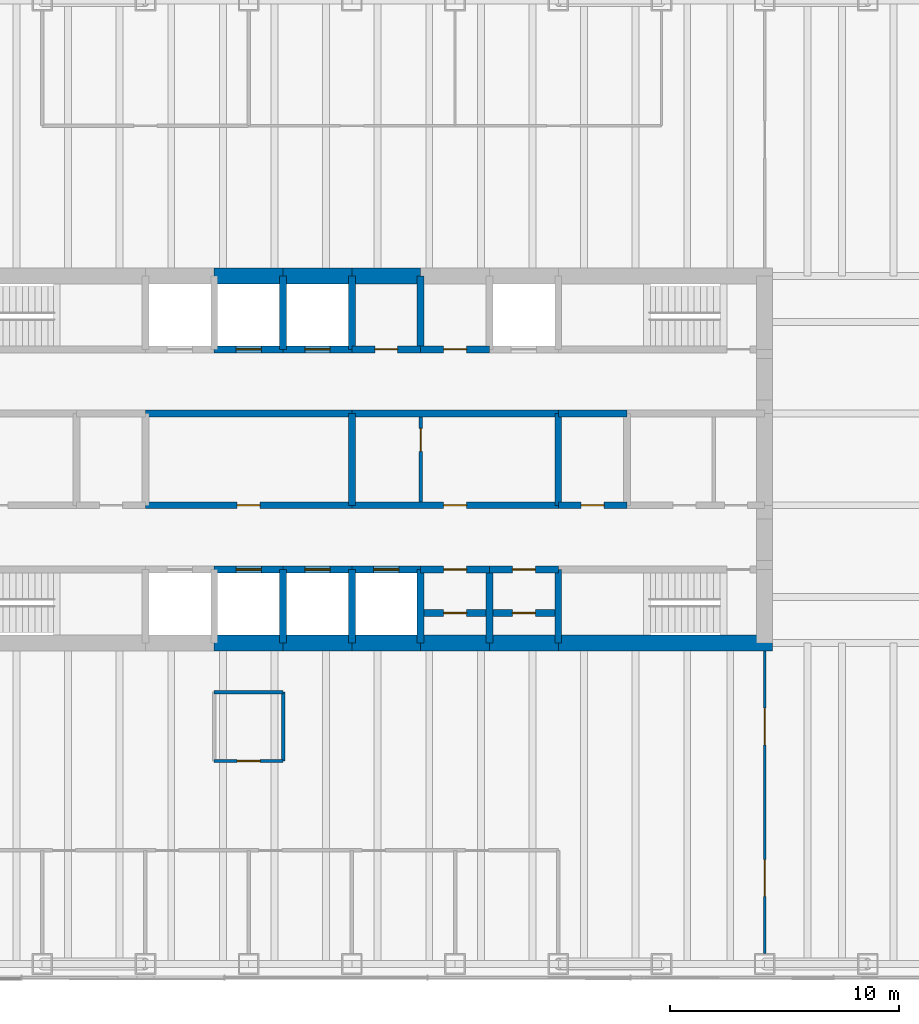
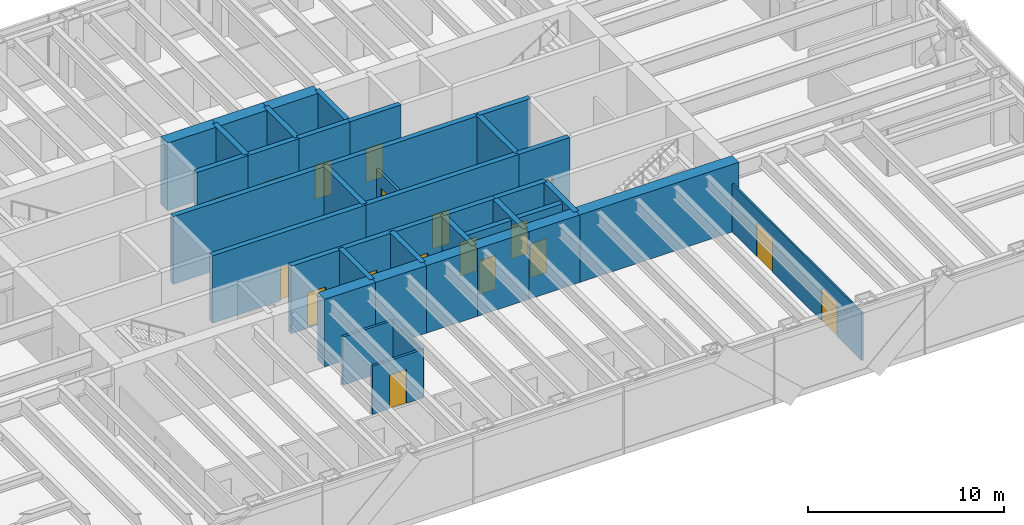
# One storey, part 12 of 15: 41 walls, 18 doors, 18 openings.
"""IFC4 building model written with IfcOpenShell, lengths in metres."""

from ifc_helpers import new_model, si_unit, direction, frame, frame_2d, origin, place, context, subcontext, project, spatial, rectangle, extrude, material, layer, layer_set, type_object, element, fill, save


model = new_model("IFC4")

# Units and contexts
model_context = context("Model", 3, precision=1e-05, world=origin(), true_north=direction((0.0, 1.0)))
body_context = subcontext(model_context, "Body", "Model", "MODEL_VIEW")
ifc_project = project(units=[si_unit("LENGTHUNIT", "METRE"), si_unit("AREAUNIT", "SQUARE_METRE"), si_unit("VOLUMEUNIT", "CUBIC_METRE"), si_unit("PLANEANGLEUNIT", "RADIAN"), si_unit("MASSUNIT", "GRAM", prefix="KILO")], contexts=[model_context])

# Site, building, storey
site_placement = place(None, origin())
site = spatial("IfcSite", under=ifc_project, at=site_placement, CompositionType="ELEMENT")
building_placement = place(site_placement, origin())
building = spatial("IfcBuilding", under=site, at=building_placement, Name="Rheinbord Bourse Tower", CompositionType="ELEMENT")
storey_placement = place(building_placement, frame((0.0, 0.0, 292.10009765625)))
storey = spatial("IfcBuildingStorey", under=building, at=storey_placement, Name="L66", CompositionType="ELEMENT", Elevation=292.10009765625)

# Wall, opening, door
ifc_material_1 = material(Name="Concrete C50/60", Category="concrete")
ifc_layer_1 = layer(ifc_material_1, 0.300048828125)
ifc_layer_set_1 = layer_set([ifc_layer_1], Name="CORE INNER WALL 300")
wall_type_1 = type_object("IfcWallType", Name="CORE INNER WALL 300", PredefinedType="SOLIDWALL", material=ifc_layer_set_1)
wall_1_placement = place(storey_placement, frame((30.0, 19.199951171875, 0.0), z_axis=(0.0, 0.0, 1.0), x_axis=(1.0, 0.0, 0.0)))
wall_1 = element("IfcWall", 1, at=wall_1_placement, inside=storey, type_object=wall_type_1, Name="Core wall A3 L66", PredefinedType="SOLIDWALL", context=body_context, shape_type="SweptSolid", body=[
    extrude(rectangle(XDim=3.0, YDim=0.300048828125, at=frame_2d((1.5, 0.0))), origin(), (0.0, 0.0, 1.0), 4.199951171875),
])
opening_1_placement = place(wall_1_placement, frame((0.949951171875, 0.0, 0.0)))
opening_1 = element("IfcOpeningElement", 2, at=opening_1_placement, cuts=wall_1, Name="Opening PD1", PredefinedType="OPENING", context=body_context, shape_type="SweptSolid", body=[
    extrude(rectangle(XDim=1.10009765625, YDim=2.199951171875, at=frame_2d((0.550048828125, 1.10009765625))), frame((0.0, 0.159912109375, 0.0), z_axis=(0.0, -1.0, 0.0), x_axis=(1.0, 0.0, 0.0)), (0.0, 0.0, 1.0), 0.320068359375),
])
ifc_material_2 = material(Name="Steel landing door", Category="steel")
door_type_1 = type_object("IfcDoorType", Name="LIFT LANDING DOOR 1100", OperationType="DOUBLE_DOOR_SLIDING", PredefinedType="USERDEFINED", material=ifc_material_2)
door_1_placement = place(opening_1_placement, origin())
door_1 = element("IfcDoor", 3, at=door_1_placement, inside=storey, type_object=door_type_1, Name="Lift landing door PD1 L66", ObjectType="LIFT LANDING DOOR", OperationType="DOUBLE_DOOR_SLIDING", OverallHeight=2.199951171875, OverallWidth=1.10009765625, PredefinedType="USERDEFINED", context=body_context, shape_type="SweptSolid", body=[
    extrude(rectangle(XDim=1.10009765625, YDim=2.199951171875, at=frame_2d((0.550048828125, 1.10009765625))), frame((0.0, 0.02490234375, 0.0), z_axis=(0.0, -1.0, 0.0), x_axis=(1.0, 0.0, 0.0)), (0.0, 0.0, 1.0), 0.050048828125),
])
fill(opening_1, door_1)

wall_2_placement = place(storey_placement, frame((33.0, 19.199951171875, 0.0), z_axis=(0.0, 0.0, 1.0), x_axis=(1.0, 0.0, 0.0)))
wall_2 = element("IfcWall", 4, at=wall_2_placement, inside=storey, type_object=wall_type_1, Name="Core wall A4 L66", PredefinedType="SOLIDWALL", context=body_context, shape_type="SweptSolid", body=[
    extrude(rectangle(XDim=3.0, YDim=0.300048828125, at=frame_2d((1.5, 0.0))), origin(), (0.0, 0.0, 1.0), 4.199951171875),
])
opening_2_placement = place(wall_2_placement, frame((0.949951171875, 0.0, 0.0)))
opening_2 = element("IfcOpeningElement", 5, at=opening_2_placement, cuts=wall_2, Name="Opening PD2", PredefinedType="OPENING", context=body_context, shape_type="SweptSolid", body=[
    extrude(rectangle(XDim=1.10009765625, YDim=2.199951171875, at=frame_2d((0.550048828125, 1.10009765625))), frame((0.0, 0.159912109375, 0.0), z_axis=(0.0, -1.0, 0.0), x_axis=(1.0, 0.0, 0.0)), (0.0, 0.0, 1.0), 0.320068359375),
])
door_2_placement = place(opening_2_placement, origin())
door_2 = element("IfcDoor", 6, at=door_2_placement, inside=storey, type_object=door_type_1, Name="Lift landing door PD2 L66", ObjectType="LIFT LANDING DOOR", OperationType="DOUBLE_DOOR_SLIDING", OverallHeight=2.199951171875, OverallWidth=1.10009765625, PredefinedType="USERDEFINED", context=body_context, shape_type="SweptSolid", body=[
    extrude(rectangle(XDim=1.10009765625, YDim=2.199951171875, at=frame_2d((0.550048828125, 1.10009765625))), frame((0.0, 0.02490234375, 0.0), z_axis=(0.0, -1.0, 0.0), x_axis=(1.0, 0.0, 0.0)), (0.0, 0.0, 1.0), 0.050048828125),
])
fill(opening_2, door_2)

wall_3_placement = place(storey_placement, frame((36.0, 19.199951171875, 0.0), z_axis=(0.0, 0.0, 1.0), x_axis=(1.0, 0.0, 0.0)))
wall_3 = element("IfcWall", 7, at=wall_3_placement, inside=storey, type_object=wall_type_1, Name="Core wall A5 L66", PredefinedType="SOLIDWALL", context=body_context, shape_type="SweptSolid", body=[
    extrude(rectangle(XDim=3.0, YDim=0.300048828125, at=frame_2d((1.5, 0.0))), origin(), (0.0, 0.0, 1.0), 4.199951171875),
])
opening_3_placement = place(wall_3_placement, frame((0.949951171875, 0.0, 0.0)))
opening_3 = element("IfcOpeningElement", 8, at=opening_3_placement, cuts=wall_3, Name="Opening PD3", PredefinedType="OPENING", context=body_context, shape_type="SweptSolid", body=[
    extrude(rectangle(XDim=1.10009765625, YDim=2.199951171875, at=frame_2d((0.550048828125, 1.10009765625))), frame((0.0, 0.159912109375, 0.0), z_axis=(0.0, -1.0, 0.0), x_axis=(1.0, 0.0, 0.0)), (0.0, 0.0, 1.0), 0.320068359375),
])
door_3_placement = place(opening_3_placement, origin())
door_3 = element("IfcDoor", 9, at=door_3_placement, inside=storey, type_object=door_type_1, Name="Lift landing door PD3 L66", ObjectType="LIFT LANDING DOOR", OperationType="DOUBLE_DOOR_SLIDING", OverallHeight=2.199951171875, OverallWidth=1.10009765625, PredefinedType="USERDEFINED", context=body_context, shape_type="SweptSolid", body=[
    extrude(rectangle(XDim=1.10009765625, YDim=2.199951171875, at=frame_2d((0.550048828125, 1.10009765625))), frame((0.0, 0.02490234375, 0.0), z_axis=(0.0, -1.0, 0.0), x_axis=(1.0, 0.0, 0.0)), (0.0, 0.0, 1.0), 0.050048828125),
])
fill(opening_3, door_3)

wall_4_placement = place(storey_placement, frame((39.0, 19.199951171875, 0.0), z_axis=(0.0, 0.0, 1.0), x_axis=(1.0, 0.0, 0.0)))
wall_4 = element("IfcWall", 10, at=wall_4_placement, inside=storey, type_object=wall_type_1, Name="Core wall A6 L66", PredefinedType="SOLIDWALL", context=body_context, shape_type="SweptSolid", body=[
    extrude(rectangle(XDim=3.0, YDim=0.300048828125, at=frame_2d((1.5, 0.0))), origin(), (0.0, 0.0, 1.0), 4.199951171875),
])
opening_4_placement = place(wall_4_placement, frame((1.0, 0.0, 0.0)))
opening_4 = element("IfcOpeningElement", 11, at=opening_4_placement, cuts=wall_4, Name="Opening 66R8", PredefinedType="OPENING", context=body_context, shape_type="SweptSolid", body=[
    extrude(rectangle(XDim=1.0, YDim=2.10009765625, at=frame_2d((0.5, 1.050048828125))), frame((0.0, 0.159912109375, 0.0), z_axis=(0.0, -1.0, 0.0), x_axis=(1.0, 0.0, 0.0)), (0.0, 0.0, 1.0), 0.320068359375),
])
ifc_material_3 = material(Name="Steel door", Category="steel")
door_type_2 = type_object("IfcDoorType", Name="DOOR 1000 EI30", OperationType="SINGLE_SWING_LEFT", PredefinedType="DOOR", material=ifc_material_3)
door_4_placement = place(opening_4_placement, origin())
door_4 = element("IfcDoor", 12, at=door_4_placement, inside=storey, type_object=door_type_2, Name="Archive store door L66", OperationType="SINGLE_SWING_LEFT", OverallHeight=2.10009765625, OverallWidth=1.0, PredefinedType="DOOR", context=body_context, shape_type="SweptSolid", body=[
    extrude(rectangle(XDim=1.0, YDim=2.10009765625, at=frame_2d((0.5, 1.050048828125))), frame((0.0, 0.02490234375, 0.0), z_axis=(0.0, -1.0, 0.0), x_axis=(1.0, 0.0, 0.0)), (0.0, 0.0, 1.0), 0.050048828125),
])
fill(opening_4, door_4)

wall_5_placement = place(storey_placement, frame((42.0, 19.199951171875, 0.0), z_axis=(0.0, 0.0, 1.0), x_axis=(1.0, 0.0, 0.0)))
wall_5 = element("IfcWall", 13, at=wall_5_placement, inside=storey, type_object=wall_type_1, Name="Core wall A7 L66", PredefinedType="SOLIDWALL", context=body_context, shape_type="SweptSolid", body=[
    extrude(rectangle(XDim=3.0, YDim=0.300048828125, at=frame_2d((1.5, 0.0))), origin(), (0.0, 0.0, 1.0), 4.199951171875),
])
opening_5_placement = place(wall_5_placement, frame((1.0, 0.0, 0.0)))
opening_5 = element("IfcOpeningElement", 14, at=opening_5_placement, cuts=wall_5, Name="Opening 66R9", PredefinedType="OPENING", context=body_context, shape_type="SweptSolid", body=[
    extrude(rectangle(XDim=1.0, YDim=2.10009765625, at=frame_2d((0.5, 1.050048828125))), frame((0.0, 0.159912109375, 0.0), z_axis=(0.0, -1.0, 0.0), x_axis=(1.0, 0.0, 0.0)), (0.0, 0.0, 1.0), 0.320068359375),
])
door_5_placement = place(opening_5_placement, origin())
door_5 = element("IfcDoor", 15, at=door_5_placement, inside=storey, type_object=door_type_2, Name="Mail room door L66", OperationType="SINGLE_SWING_LEFT", OverallHeight=2.10009765625, OverallWidth=1.0, PredefinedType="DOOR", context=body_context, shape_type="SweptSolid", body=[
    extrude(rectangle(XDim=1.0, YDim=2.10009765625, at=frame_2d((0.5, 1.050048828125))), frame((0.0, 0.02490234375, 0.0), z_axis=(0.0, -1.0, 0.0), x_axis=(1.0, 0.0, 0.0)), (0.0, 0.0, 1.0), 0.050048828125),
])
fill(opening_5, door_5)

wall_6_placement = place(storey_placement, frame((30.0, 28.800048828125, 0.0), z_axis=(0.0, 0.0, 1.0), x_axis=(1.0, 0.0, 0.0)))
wall_6 = element("IfcWall", 16, at=wall_6_placement, inside=storey, type_object=wall_type_1, Name="Core wall B3 L66", PredefinedType="SOLIDWALL", context=body_context, shape_type="SweptSolid", body=[
    extrude(rectangle(XDim=3.0, YDim=0.300048828125, at=frame_2d((1.5, 0.0))), origin(), (0.0, 0.0, 1.0), 4.199951171875),
])
opening_6_placement = place(wall_6_placement, frame((0.949951171875, 0.0, 0.0)))
opening_6 = element("IfcOpeningElement", 17, at=opening_6_placement, cuts=wall_6, Name="Opening PD4", PredefinedType="OPENING", context=body_context, shape_type="SweptSolid", body=[
    extrude(rectangle(XDim=1.10009765625, YDim=2.199951171875, at=frame_2d((0.550048828125, 1.10009765625))), frame((0.0, 0.159912109375, 0.0), z_axis=(0.0, -1.0, 0.0), x_axis=(1.0, 0.0, 0.0)), (0.0, 0.0, 1.0), 0.320068359375),
])
door_6_placement = place(opening_6_placement, origin())
door_6 = element("IfcDoor", 18, at=door_6_placement, inside=storey, type_object=door_type_1, Name="Lift landing door PD4 L66", ObjectType="LIFT LANDING DOOR", OperationType="DOUBLE_DOOR_SLIDING", OverallHeight=2.199951171875, OverallWidth=1.10009765625, PredefinedType="USERDEFINED", context=body_context, shape_type="SweptSolid", body=[
    extrude(rectangle(XDim=1.10009765625, YDim=2.199951171875, at=frame_2d((0.550048828125, 1.10009765625))), frame((0.0, 0.02490234375, 0.0), z_axis=(0.0, -1.0, 0.0), x_axis=(1.0, 0.0, 0.0)), (0.0, 0.0, 1.0), 0.050048828125),
])
fill(opening_6, door_6)

wall_7_placement = place(storey_placement, frame((33.0, 28.800048828125, 0.0), z_axis=(0.0, 0.0, 1.0), x_axis=(1.0, 0.0, 0.0)))
wall_7 = element("IfcWall", 19, at=wall_7_placement, inside=storey, type_object=wall_type_1, Name="Core wall B4 L66", PredefinedType="SOLIDWALL", context=body_context, shape_type="SweptSolid", body=[
    extrude(rectangle(XDim=3.0, YDim=0.300048828125, at=frame_2d((1.5, 0.0))), origin(), (0.0, 0.0, 1.0), 4.199951171875),
])
opening_7_placement = place(wall_7_placement, frame((0.949951171875, 0.0, 0.0)))
opening_7 = element("IfcOpeningElement", 20, at=opening_7_placement, cuts=wall_7, Name="Opening PD5", PredefinedType="OPENING", context=body_context, shape_type="SweptSolid", body=[
    extrude(rectangle(XDim=1.10009765625, YDim=2.199951171875, at=frame_2d((0.550048828125, 1.10009765625))), frame((0.0, 0.159912109375, 0.0), z_axis=(0.0, -1.0, 0.0), x_axis=(1.0, 0.0, 0.0)), (0.0, 0.0, 1.0), 0.320068359375),
])
door_7_placement = place(opening_7_placement, origin())
door_7 = element("IfcDoor", 21, at=door_7_placement, inside=storey, type_object=door_type_1, Name="Lift landing door PD5 L66", ObjectType="LIFT LANDING DOOR", OperationType="DOUBLE_DOOR_SLIDING", OverallHeight=2.199951171875, OverallWidth=1.10009765625, PredefinedType="USERDEFINED", context=body_context, shape_type="SweptSolid", body=[
    extrude(rectangle(XDim=1.10009765625, YDim=2.199951171875, at=frame_2d((0.550048828125, 1.10009765625))), frame((0.0, 0.02490234375, 0.0), z_axis=(0.0, -1.0, 0.0), x_axis=(1.0, 0.0, 0.0)), (0.0, 0.0, 1.0), 0.050048828125),
])
fill(opening_7, door_7)

wall_8_placement = place(storey_placement, frame((36.0, 28.800048828125, 0.0), z_axis=(0.0, 0.0, 1.0), x_axis=(1.0, 0.0, 0.0)))
wall_8 = element("IfcWall", 22, at=wall_8_placement, inside=storey, type_object=wall_type_1, Name="Core wall B5 L66", PredefinedType="SOLIDWALL", context=body_context, shape_type="SweptSolid", body=[
    extrude(rectangle(XDim=3.0, YDim=0.300048828125, at=frame_2d((1.5, 0.0))), origin(), (0.0, 0.0, 1.0), 4.199951171875),
])
opening_8_placement = place(wall_8_placement, frame((1.0, 0.0, 0.0)))
opening_8 = element("IfcOpeningElement", 23, at=opening_8_placement, cuts=wall_8, Name="Opening 66R10", PredefinedType="OPENING", context=body_context, shape_type="SweptSolid", body=[
    extrude(rectangle(XDim=1.0, YDim=2.10009765625, at=frame_2d((0.5, 1.050048828125))), frame((0.0, 0.159912109375, 0.0), z_axis=(0.0, -1.0, 0.0), x_axis=(1.0, 0.0, 0.0)), (0.0, 0.0, 1.0), 0.320068359375),
])
door_8_placement = place(opening_8_placement, origin())
door_8 = element("IfcDoor", 24, at=door_8_placement, inside=storey, type_object=door_type_2, Name="Stationery store door L66", OperationType="SINGLE_SWING_LEFT", OverallHeight=2.10009765625, OverallWidth=1.0, PredefinedType="DOOR", context=body_context, shape_type="SweptSolid", body=[
    extrude(rectangle(XDim=1.0, YDim=2.10009765625, at=frame_2d((0.5, 1.050048828125))), frame((0.0, 0.02490234375, 0.0), z_axis=(0.0, -1.0, 0.0), x_axis=(1.0, 0.0, 0.0)), (0.0, 0.0, 1.0), 0.050048828125),
])
fill(opening_8, door_8)

wall_9_placement = place(storey_placement, frame((39.0, 28.800048828125, 0.0), z_axis=(0.0, 0.0, 1.0), x_axis=(1.0, 0.0, 0.0)))
wall_9 = element("IfcWall", 25, at=wall_9_placement, inside=storey, type_object=wall_type_1, Name="Core wall B6 L66", PredefinedType="SOLIDWALL", context=body_context, shape_type="SweptSolid", body=[
    extrude(rectangle(XDim=3.0, YDim=0.300048828125, at=frame_2d((1.5, 0.0))), origin(), (0.0, 0.0, 1.0), 4.199951171875),
])
opening_9_placement = place(wall_9_placement, frame((1.0, 0.0, 0.0)))
opening_9 = element("IfcOpeningElement", 26, at=opening_9_placement, cuts=wall_9, Name="Opening 66R11", PredefinedType="OPENING", context=body_context, shape_type="SweptSolid", body=[
    extrude(rectangle(XDim=1.0, YDim=2.10009765625, at=frame_2d((0.5, 1.050048828125))), frame((0.0, 0.159912109375, 0.0), z_axis=(0.0, -1.0, 0.0), x_axis=(1.0, 0.0, 0.0)), (0.0, 0.0, 1.0), 0.320068359375),
])
door_9_placement = place(opening_9_placement, origin())
door_9 = element("IfcDoor", 27, at=door_9_placement, inside=storey, type_object=door_type_2, Name="Supplies store door L66", OperationType="SINGLE_SWING_LEFT", OverallHeight=2.10009765625, OverallWidth=1.0, PredefinedType="DOOR", context=body_context, shape_type="SweptSolid", body=[
    extrude(rectangle(XDim=1.0, YDim=2.10009765625, at=frame_2d((0.5, 1.050048828125))), frame((0.0, 0.02490234375, 0.0), z_axis=(0.0, -1.0, 0.0), x_axis=(1.0, 0.0, 0.0)), (0.0, 0.0, 1.0), 0.050048828125),
])
fill(opening_9, door_9)

wall_10_placement = place(storey_placement, frame((27.0, 22.0, 0.0), z_axis=(0.0, 0.0, 1.0), x_axis=(1.0, 0.0, 0.0)))
wall_10 = element("IfcWall", 28, at=wall_10_placement, inside=storey, type_object=wall_type_1, Name="Core wall C3 L66", PredefinedType="SOLIDWALL", context=body_context, shape_type="SweptSolid", body=[
    extrude(rectangle(XDim=9.0, YDim=0.300048828125, at=frame_2d((4.5, 0.0))), origin(), (0.0, 0.0, 1.0), 4.199951171875),
])
opening_10_placement = place(wall_10_placement, frame((4.0, 0.0, 0.0)))
opening_10 = element("IfcOpeningElement", 29, at=opening_10_placement, cuts=wall_10, Name="Opening 66R3", PredefinedType="OPENING", context=body_context, shape_type="SweptSolid", body=[
    extrude(rectangle(XDim=1.0, YDim=2.10009765625, at=frame_2d((0.5, 1.050048828125))), frame((0.0, 0.159912109375, 0.0), z_axis=(0.0, -1.0, 0.0), x_axis=(1.0, 0.0, 0.0)), (0.0, 0.0, 1.0), 0.320068359375),
])
door_10_placement = place(opening_10_placement, origin())
door_10 = element("IfcDoor", 30, at=door_10_placement, inside=storey, type_object=door_type_2, Name="Riser door L66", OperationType="SINGLE_SWING_LEFT", OverallHeight=2.10009765625, OverallWidth=1.0, PredefinedType="DOOR", context=body_context, shape_type="SweptSolid", body=[
    extrude(rectangle(XDim=1.0, YDim=2.10009765625, at=frame_2d((0.5, 1.050048828125))), frame((0.0, 0.02490234375, 0.0), z_axis=(0.0, -1.0, 0.0), x_axis=(1.0, 0.0, 0.0)), (0.0, 0.0, 1.0), 0.050048828125),
])
fill(opening_10, door_10)

wall_11_placement = place(storey_placement, frame((36.0, 22.0, 0.0), z_axis=(0.0, 0.0, 1.0), x_axis=(1.0, 0.0, 0.0)))
wall_11 = element("IfcWall", 31, at=wall_11_placement, inside=storey, type_object=wall_type_1, Name="Core wall C4 L66", PredefinedType="SOLIDWALL", context=body_context, shape_type="SweptSolid", body=[
    extrude(rectangle(XDim=9.0, YDim=0.300048828125, at=frame_2d((4.5, 0.0))), origin(), (0.0, 0.0, 1.0), 4.199951171875),
])
opening_11_placement = place(wall_11_placement, frame((4.0, 0.0, 0.0)))
opening_11 = element("IfcOpeningElement", 32, at=opening_11_placement, cuts=wall_11, Name="Opening 66R4", PredefinedType="OPENING", context=body_context, shape_type="SweptSolid", body=[
    extrude(rectangle(XDim=1.0, YDim=2.10009765625, at=frame_2d((0.5, 1.050048828125))), frame((0.0, 0.159912109375, 0.0), z_axis=(0.0, -1.0, 0.0), x_axis=(1.0, 0.0, 0.0)), (0.0, 0.0, 1.0), 0.320068359375),
])
door_11_placement = place(opening_11_placement, origin())
door_11 = element("IfcDoor", 33, at=door_11_placement, inside=storey, type_object=door_type_2, Name="Pantry door L66", OperationType="SINGLE_SWING_LEFT", OverallHeight=2.10009765625, OverallWidth=1.0, PredefinedType="DOOR", context=body_context, shape_type="SweptSolid", body=[
    extrude(rectangle(XDim=1.0, YDim=2.10009765625, at=frame_2d((0.5, 1.050048828125))), frame((0.0, 0.02490234375, 0.0), z_axis=(0.0, -1.0, 0.0), x_axis=(1.0, 0.0, 0.0)), (0.0, 0.0, 1.0), 0.050048828125),
])
fill(opening_11, door_11)

wall_12_placement = place(storey_placement, frame((45.0, 22.0, 0.0), z_axis=(0.0, 0.0, 1.0), x_axis=(1.0, 0.0, 0.0)))
wall_12 = element("IfcWall", 34, at=wall_12_placement, inside=storey, type_object=wall_type_1, Name="Core wall C5 L66", PredefinedType="SOLIDWALL", context=body_context, shape_type="SweptSolid", body=[
    extrude(rectangle(XDim=3.0, YDim=0.300048828125, at=frame_2d((1.5, 0.0))), origin(), (0.0, 0.0, 1.0), 4.199951171875),
])
opening_12_placement = place(wall_12_placement, frame((1.0, 0.0, 0.0)))
opening_12 = element("IfcOpeningElement", 35, at=opening_12_placement, cuts=wall_12, Name="Opening 66R5", PredefinedType="OPENING", context=body_context, shape_type="SweptSolid", body=[
    extrude(rectangle(XDim=1.0, YDim=2.10009765625, at=frame_2d((0.5, 1.050048828125))), frame((0.0, 0.159912109375, 0.0), z_axis=(0.0, -1.0, 0.0), x_axis=(1.0, 0.0, 0.0)), (0.0, 0.0, 1.0), 0.320068359375),
])
ifc_material_4 = material(Name="Timber door", Category="wood")
door_type_3 = type_object("IfcDoorType", Name="DOOR 1000 WC", OperationType="SINGLE_SWING_LEFT", PredefinedType="DOOR", material=ifc_material_4)
door_12_placement = place(opening_12_placement, origin())
door_12 = element("IfcDoor", 36, at=door_12_placement, inside=storey, type_object=door_type_3, Name="Accessible WC door L66", OperationType="SINGLE_SWING_LEFT", OverallHeight=2.10009765625, OverallWidth=1.0, PredefinedType="DOOR", context=body_context, shape_type="SweptSolid", body=[
    extrude(rectangle(XDim=1.0, YDim=2.10009765625, at=frame_2d((0.5, 1.050048828125))), frame((0.0, 0.02490234375, 0.0), z_axis=(0.0, -1.0, 0.0), x_axis=(1.0, 0.0, 0.0)), (0.0, 0.0, 1.0), 0.050048828125),
])
fill(opening_12, door_12)

# Walls
for number, where, z_axis, x_axis, name in (
    (37, (27.0, 26.0, 0.0), (0.0, 0.0, 1.0), (1.0, 0.0, 0.0), "Core wall D3 L66"),
    (38, (36.0, 26.0, 0.0), (0.0, 0.0, 1.0), (1.0, 0.0, 0.0), "Core wall D4 L66"),
):
    element("IfcWall", number, at=place(storey_placement, frame(where, z_axis=z_axis, x_axis=x_axis)), inside=storey, type_object=wall_type_1, Name=name, PredefinedType="SOLIDWALL", context=body_context, shape_type="SweptSolid", body=[
        extrude(rectangle(XDim=9.0, YDim=0.300048828125, at=frame_2d((4.5, 0.0))), origin(), (0.0, 0.0, 1.0), 4.199951171875),
    ])
wall_13_placement = place(storey_placement, frame((45.0, 26.0, 0.0), z_axis=(0.0, 0.0, 1.0), x_axis=(1.0, 0.0, 0.0)))
element("IfcWall", 39, at=wall_13_placement, inside=storey, type_object=wall_type_1, Name="Core wall D5 L66", PredefinedType="SOLIDWALL", context=body_context, shape_type="SweptSolid", body=[
    extrude(rectangle(XDim=3.0, YDim=0.300048828125, at=frame_2d((1.5, 0.0))), origin(), (0.0, 0.0, 1.0), 4.199951171875),
])
for number, where, z_axis, x_axis, name in (
    (40, (33.0, 16.0, 0.0), (0.0, 0.0, 1.0), (0.0, 1.0, 0.0), "Core wall SX33 L66"),
    (41, (33.0, 28.800048828125, 0.0), (0.0, 0.0, 1.0), (0.0, 1.0, 0.0), "Core wall NX33 L66"),
    (42, (36.0, 16.0, 0.0), (0.0, 0.0, 1.0), (0.0, 1.0, 0.0), "Core wall SX36 L66"),
    (43, (36.0, 28.800048828125, 0.0), (0.0, 0.0, 1.0), (0.0, 1.0, 0.0), "Core wall NX36 L66"),
    (44, (39.0, 16.0, 0.0), (0.0, 0.0, 1.0), (0.0, 1.0, 0.0), "Core wall SX39 L66"),
    (45, (39.0, 28.800048828125, 0.0), (0.0, 0.0, 1.0), (0.0, 1.0, 0.0), "Core wall NX39 L66"),
    (46, (42.0, 16.0, 0.0), (0.0, 0.0, 1.0), (0.0, 1.0, 0.0), "Core wall SX42 L66"),
    (47, (45.0, 16.0, 0.0), (0.0, 0.0, 1.0), (0.0, 1.0, 0.0), "Core wall SX45 L66"),
):
    element("IfcWall", number, at=place(storey_placement, frame(where, z_axis=z_axis, x_axis=x_axis)), inside=storey, type_object=wall_type_1, Name=name, PredefinedType="SOLIDWALL", context=body_context, shape_type="SweptSolid", body=[
        extrude(rectangle(XDim=3.199951171875, YDim=0.300048828125, at=frame_2d((1.60009765625, 0.0))), origin(), (0.0, 0.0, 1.0), 4.199951171875),
    ])
for number, where, z_axis, x_axis, name in (
    (48, (36.0, 22.0, 0.0), (0.0, 0.0, 1.0), (0.0, 1.0, 0.0), "Core wall MX36 L66"),
    (49, (45.0, 22.0, 0.0), (0.0, 0.0, 1.0), (0.0, 1.0, 0.0), "Core wall MX45 L66"),
):
    element("IfcWall", number, at=place(storey_placement, frame(where, z_axis=z_axis, x_axis=x_axis)), inside=storey, type_object=wall_type_1, Name=name, PredefinedType="SOLIDWALL", context=body_context, shape_type="SweptSolid", body=[
        extrude(rectangle(XDim=4.0, YDim=0.300048828125, at=frame_2d((2.0, 0.0))), origin(), (0.0, 0.0, 1.0), 4.199951171875),
    ])

# Wall, opening, door
wall_14_placement = place(storey_placement, frame((39.14990234375, 17.300048828125, 0.0), z_axis=(0.0, 0.0, 1.0), x_axis=(1.0, 0.0, 0.0)))
wall_14 = element("IfcWall", 50, at=wall_14_placement, inside=storey, type_object=wall_type_1, Name="Core riser wall L66-6", PredefinedType="SOLIDWALL", context=body_context, shape_type="SweptSolid", body=[
    extrude(rectangle(XDim=2.7001953125, YDim=0.300048828125, at=frame_2d((1.35009765625, 0.0))), origin(), (0.0, 0.0, 1.0), 4.039794921875),
])
opening_13_placement = place(wall_14_placement, frame((0.85009765625, 0.0, 0.0)))
opening_13 = element("IfcOpeningElement", 51, at=opening_13_placement, cuts=wall_14, Name="Opening 66R12", PredefinedType="OPENING", context=body_context, shape_type="SweptSolid", body=[
    extrude(rectangle(XDim=1.0, YDim=2.10009765625, at=frame_2d((0.5, 1.050048828125))), frame((0.0, 0.159912109375, 0.0), z_axis=(0.0, -1.0, 0.0), x_axis=(1.0, 0.0, 0.0)), (0.0, 0.0, 1.0), 0.320068359375),
])
door_13_placement = place(opening_13_placement, origin())
door_13 = element("IfcDoor", 52, at=door_13_placement, inside=storey, type_object=door_type_2, Name="Comms riser door L66", OperationType="SINGLE_SWING_LEFT", OverallHeight=2.10009765625, OverallWidth=1.0, PredefinedType="DOOR", context=body_context, shape_type="SweptSolid", body=[
    extrude(rectangle(XDim=1.0, YDim=2.10009765625, at=frame_2d((0.5, 1.050048828125))), frame((0.0, 0.02490234375, 0.0), z_axis=(0.0, -1.0, 0.0), x_axis=(1.0, 0.0, 0.0)), (0.0, 0.0, 1.0), 0.050048828125),
])
fill(opening_13, door_13)

wall_15_placement = place(storey_placement, frame((42.14990234375, 17.300048828125, 0.0), z_axis=(0.0, 0.0, 1.0), x_axis=(1.0, 0.0, 0.0)))
wall_15 = element("IfcWall", 53, at=wall_15_placement, inside=storey, type_object=wall_type_1, Name="Core riser wall L66-7", PredefinedType="SOLIDWALL", context=body_context, shape_type="SweptSolid", body=[
    extrude(rectangle(XDim=2.7001953125, YDim=0.300048828125, at=frame_2d((1.35009765625, 0.0))), origin(), (0.0, 0.0, 1.0), 4.039794921875),
])
opening_14_placement = place(wall_15_placement, frame((0.85009765625, 0.0, 0.0)))
opening_14 = element("IfcOpeningElement", 54, at=opening_14_placement, cuts=wall_15, Name="Opening 66R13", PredefinedType="OPENING", context=body_context, shape_type="SweptSolid", body=[
    extrude(rectangle(XDim=1.0, YDim=2.10009765625, at=frame_2d((0.5, 1.050048828125))), frame((0.0, 0.159912109375, 0.0), z_axis=(0.0, -1.0, 0.0), x_axis=(1.0, 0.0, 0.0)), (0.0, 0.0, 1.0), 0.320068359375),
])
door_14_placement = place(opening_14_placement, origin())
door_14 = element("IfcDoor", 55, at=door_14_placement, inside=storey, type_object=door_type_2, Name="Electrical riser door L66", OperationType="SINGLE_SWING_LEFT", OverallHeight=2.10009765625, OverallWidth=1.0, PredefinedType="DOOR", context=body_context, shape_type="SweptSolid", body=[
    extrude(rectangle(XDim=1.0, YDim=2.10009765625, at=frame_2d((0.5, 1.050048828125))), frame((0.0, 0.02490234375, 0.0), z_axis=(0.0, -1.0, 0.0), x_axis=(1.0, 0.0, 0.0)), (0.0, 0.0, 1.0), 0.050048828125),
])
fill(opening_14, door_14)

ifc_material_5 = material(Name="Gypsum board fire partition", Category="gypsum board")
ifc_layer_2 = layer(ifc_material_5, 0.14990234375)
ifc_layer_set_2 = layer_set([ifc_layer_2], Name="CORE PARTITION 150 EI30")
wall_type_2 = type_object("IfcWallType", Name="CORE PARTITION 150 EI30", PredefinedType="PARTITIONING", material=ifc_layer_set_2)
wall_16_placement = place(storey_placement, frame((39.0, 22.14990234375, 0.0), z_axis=(0.0, 0.0, 1.0), x_axis=(0.0, 1.0, 0.0)))
wall_16 = element("IfcWall", 56, at=wall_16_placement, inside=storey, type_object=wall_type_2, Name="Core partition L66-1", PredefinedType="PARTITIONING", context=body_context, shape_type="SweptSolid", body=[
    extrude(rectangle(XDim=3.7001953125, YDim=0.14990234375, at=frame_2d((1.85009765625, 0.0))), origin(), (0.0, 0.0, 1.0), 3.0),
])
opening_15_placement = place(wall_16_placement, frame((2.199951171875, 0.0, 0.0)))
opening_15 = element("IfcOpeningElement", 57, at=opening_15_placement, cuts=wall_16, Name="Opening 66R7", PredefinedType="OPENING", context=body_context, shape_type="SweptSolid", body=[
    extrude(rectangle(XDim=1.0, YDim=2.10009765625, at=frame_2d((0.5, 1.050048828125))), frame((0.0, 0.0849609375, 0.0), z_axis=(0.0, -1.0, 0.0), x_axis=(1.0, 0.0, 0.0)), (0.0, 0.0, 1.0), 0.169921875),
])
door_15_placement = place(opening_15_placement, origin())
door_15 = element("IfcDoor", 58, at=door_15_placement, inside=storey, type_object=door_type_2, Name="Cleaner's store door L66", OperationType="SINGLE_SWING_RIGHT", OverallHeight=2.10009765625, OverallWidth=1.0, PredefinedType="DOOR", context=body_context, shape_type="SweptSolid", body=[
    extrude(rectangle(XDim=1.0, YDim=2.10009765625, at=frame_2d((0.5, 1.050048828125))), frame((0.0, 0.02490234375, 0.0), z_axis=(0.0, -1.0, 0.0), x_axis=(1.0, 0.0, 0.0)), (0.0, 0.0, 1.0), 0.050048828125),
])
fill(opening_15, door_15)

# Walls
ifc_material_6 = material(Name="Concrete C50/60", Category="concrete")
ifc_layer_3 = layer(ifc_material_6, 0.699951171875)
ifc_layer_set_3 = layer_set([ifc_layer_3], Name="CORE WALL 700")
wall_type_3 = type_object("IfcWallType", Name="CORE WALL 700", PredefinedType="SHEAR", material=ifc_layer_set_3)
for number, where, z_axis, x_axis, name in (
    (59, (30.0, 16.0, 0.0), (0.0, 0.0, 1.0), (1.0, 0.0, 0.0), "Core wall S3 L66"),
    (60, (33.0, 16.0, 0.0), (0.0, 0.0, 1.0), (1.0, 0.0, 0.0), "Core wall S4 L66"),
    (61, (36.0, 16.0, 0.0), (0.0, 0.0, 1.0), (1.0, 0.0, 0.0), "Core wall S5 L66"),
    (62, (39.0, 16.0, 0.0), (0.0, 0.0, 1.0), (1.0, 0.0, 0.0), "Core wall S6 L66"),
    (63, (42.0, 16.0, 0.0), (0.0, 0.0, 1.0), (1.0, 0.0, 0.0), "Core wall S7 L66"),
):
    element("IfcWall", number, at=place(storey_placement, frame(where, z_axis=z_axis, x_axis=x_axis)), inside=storey, type_object=wall_type_3, Name=name, PredefinedType="SHEAR", context=body_context, shape_type="SweptSolid", body=[
        extrude(rectangle(XDim=3.0, YDim=0.699951171875, at=frame_2d((1.5, 0.0))), origin(), (0.0, 0.0, 1.0), 4.199951171875),
    ])
wall_17_placement = place(storey_placement, frame((45.0, 16.0, 0.0), z_axis=(0.0, 0.0, 1.0), x_axis=(1.0, 0.0, 0.0)))
element("IfcWall", 64, at=wall_17_placement, inside=storey, type_object=wall_type_3, Name="Core wall S8 L66", PredefinedType="SHEAR", context=body_context, shape_type="SweptSolid", body=[
    extrude(rectangle(XDim=9.35009765625, YDim=0.699951171875, at=frame_2d((4.675048828125, 0.0))), origin(), (0.0, 0.0, 1.0), 4.199951171875),
])
for number, where, z_axis, x_axis, name in (
    (65, (39.0, 32.0, 0.0), (0.0, 0.0, 1.0), (-1.0, 0.0, 0.0), "Core wall N4 L66"),
    (66, (36.0, 32.0, 0.0), (0.0, 0.0, 1.0), (-1.0, 0.0, 0.0), "Core wall N5 L66"),
    (67, (33.0, 32.0, 0.0), (0.0, 0.0, 1.0), (-1.0, 0.0, 0.0), "Core wall N6 L66"),
):
    element("IfcWall", number, at=place(storey_placement, frame(where, z_axis=z_axis, x_axis=x_axis)), inside=storey, type_object=wall_type_3, Name=name, PredefinedType="SHEAR", context=body_context, shape_type="SweptSolid", body=[
        extrude(rectangle(XDim=3.0, YDim=0.699951171875, at=frame_2d((1.5, 0.0))), origin(), (0.0, 0.0, 1.0), 4.199951171875),
    ])

# Wall, openings, doors
ifc_material_7 = material(Name="Toughened laminated glass partition", Category="glass")
ifc_layer_4 = layer(ifc_material_7, 0.10009765625)
ifc_layer_set_4 = layer_set([ifc_layer_4], Name="GLAZED PARTITION 100")
wall_type_4 = type_object("IfcWallType", Name="GLAZED PARTITION 100", PredefinedType="PARTITIONING", material=ifc_layer_set_4)
wall_18_placement = place(storey_placement, frame((54.0, 2.449951171875, 0.0), z_axis=(0.0, 0.0, 1.0), x_axis=(0.0, 1.0, 0.0)))
wall_18 = element("IfcWall", 68, at=wall_18_placement, inside=storey, type_object=wall_type_4, Name="Partition L66-32", PredefinedType="PARTITIONING", context=body_context, shape_type="SweptSolid", body=[
    extrude(rectangle(XDim=13.199951171875, YDim=0.10009765625, at=frame_2d((6.60009765625, 0.0))), origin(), (0.0, 0.0, 1.0), 3.0),
])
opening_16_placement = place(wall_18_placement, frame((2.5, 0.0, 0.0)))
opening_16 = element("IfcOpeningElement", 69, at=opening_16_placement, cuts=wall_18, Name="Opening 66D18", PredefinedType="OPENING", context=body_context, shape_type="SweptSolid", body=[
    extrude(rectangle(XDim=1.60009765625, YDim=2.10009765625, at=frame_2d((0.800048828125, 1.050048828125))), frame((0.0, 0.06005859375, 0.0), z_axis=(0.0, -1.0, 0.0), x_axis=(1.0, 0.0, 0.0)), (0.0, 0.0, 1.0), 0.1201171875),
])
opening_17_placement = place(wall_18_placement, frame((9.10009765625, 0.0, 0.0)))
opening_17 = element("IfcOpeningElement", 70, at=opening_17_placement, cuts=wall_18, Name="Opening 66D19", PredefinedType="OPENING", context=body_context, shape_type="SweptSolid", body=[
    extrude(rectangle(XDim=1.60009765625, YDim=2.10009765625, at=frame_2d((0.800048828125, 1.050048828125))), frame((0.0, 0.06005859375, 0.0), z_axis=(0.0, -1.0, 0.0), x_axis=(1.0, 0.0, 0.0)), (0.0, 0.0, 1.0), 0.1201171875),
])
ifc_material_8 = material(Name="Timber door", Category="wood")
door_type_4 = type_object("IfcDoorType", Name="DOUBLE ROOM DOOR 1600", OperationType="DOUBLE_DOOR_DOUBLE_SWING", PredefinedType="DOOR", material=ifc_material_8)
door_16_placement = place(opening_16_placement, origin())
door_16 = element("IfcDoor", 71, at=door_16_placement, inside=storey, type_object=door_type_4, Name="Open area door L66", OperationType="SINGLE_SWING_LEFT", OverallHeight=2.10009765625, OverallWidth=1.60009765625, PredefinedType="DOOR", context=body_context, shape_type="SweptSolid", body=[
    extrude(rectangle(XDim=1.60009765625, YDim=2.10009765625, at=frame_2d((0.800048828125, 1.050048828125))), frame((0.0, 0.02490234375, 0.0), z_axis=(0.0, -1.0, 0.0), x_axis=(1.0, 0.0, 0.0)), (0.0, 0.0, 1.0), 0.050048828125),
])
fill(opening_16, door_16)
door_17_placement = place(opening_17_placement, origin())
door_17 = element("IfcDoor", 72, at=door_17_placement, inside=storey, type_object=door_type_4, Name="Open area door L66", OperationType="SINGLE_SWING_LEFT", OverallHeight=2.10009765625, OverallWidth=1.60009765625, PredefinedType="DOOR", context=body_context, shape_type="SweptSolid", body=[
    extrude(rectangle(XDim=1.60009765625, YDim=2.10009765625, at=frame_2d((0.800048828125, 1.050048828125))), frame((0.0, 0.02490234375, 0.0), z_axis=(0.0, -1.0, 0.0), x_axis=(1.0, 0.0, 0.0)), (0.0, 0.0, 1.0), 0.050048828125),
])
fill(opening_17, door_17)

# Wall, opening, door
ifc_material_9 = material(Name="Gypsum board partition", Category="gypsum board")
ifc_layer_5 = layer(ifc_material_9, 0.14990234375)
ifc_layer_set_5 = layer_set([ifc_layer_5], Name="PARTITION 150")
wall_type_5 = type_object("IfcWallType", Name="PARTITION 150", PredefinedType="PARTITIONING", material=ifc_layer_set_5)
wall_19_placement = place(storey_placement, frame((30.0, 10.85009765625, 0.0), z_axis=(0.0, 0.0, 1.0), x_axis=(1.0, 0.0, 0.0)))
wall_19 = element("IfcWall", 73, at=wall_19_placement, inside=storey, type_object=wall_type_5, Name="Partition L66-02", PredefinedType="PARTITIONING", context=body_context, shape_type="SweptSolid", body=[
    extrude(rectangle(XDim=3.0, YDim=0.14990234375, at=frame_2d((1.5, 0.0))), origin(), (0.0, 0.0, 1.0), 3.0),
])
opening_18_placement = place(wall_19_placement, frame((1.0, 0.0, 0.0)))
opening_18 = element("IfcOpeningElement", 74, at=opening_18_placement, cuts=wall_19, Name="Opening 66D07", PredefinedType="OPENING", context=body_context, shape_type="SweptSolid", body=[
    extrude(rectangle(XDim=1.0, YDim=2.10009765625, at=frame_2d((0.5, 1.050048828125))), frame((0.0, 0.0849609375, 0.0), z_axis=(0.0, -1.0, 0.0), x_axis=(1.0, 0.0, 0.0)), (0.0, 0.0, 1.0), 0.169921875),
])
ifc_material_10 = material(Name="Timber door", Category="wood")
door_type_5 = type_object("IfcDoorType", Name="ROOM DOOR 1000", OperationType="SINGLE_SWING_LEFT", PredefinedType="DOOR", material=ifc_material_10)
door_18_placement = place(opening_18_placement, origin())
door_18 = element("IfcDoor", 75, at=door_18_placement, inside=storey, type_object=door_type_5, Name="Print room door L66", OperationType="SINGLE_SWING_LEFT", OverallHeight=2.10009765625, OverallWidth=1.0, PredefinedType="DOOR", context=body_context, shape_type="SweptSolid", body=[
    extrude(rectangle(XDim=1.0, YDim=2.10009765625, at=frame_2d((0.5, 1.050048828125))), frame((0.0, 0.02490234375, 0.0), z_axis=(0.0, -1.0, 0.0), x_axis=(1.0, 0.0, 0.0)), (0.0, 0.0, 1.0), 0.050048828125),
])
fill(opening_18, door_18)

# Walls
for number, where, z_axis, x_axis, name in (
    (76, (30.0, 13.85009765625, 0.0), (0.0, 0.0, 1.0), (1.0, 0.0, 0.0), "Partition L66-04"),
    (77, (33.0, 10.85009765625, 0.0), (0.0, 0.0, 1.0), (0.0, 1.0, 0.0), "Partition L66-26"),
):
    element("IfcWall", number, at=place(storey_placement, frame(where, z_axis=z_axis, x_axis=x_axis)), inside=storey, type_object=wall_type_5, Name=name, PredefinedType="PARTITIONING", context=body_context, shape_type="SweptSolid", body=[
        extrude(rectangle(XDim=3.0, YDim=0.14990234375, at=frame_2d((1.5, 0.0))), origin(), (0.0, 0.0, 1.0), 3.0),
    ])

save(model, "model.ifc")
